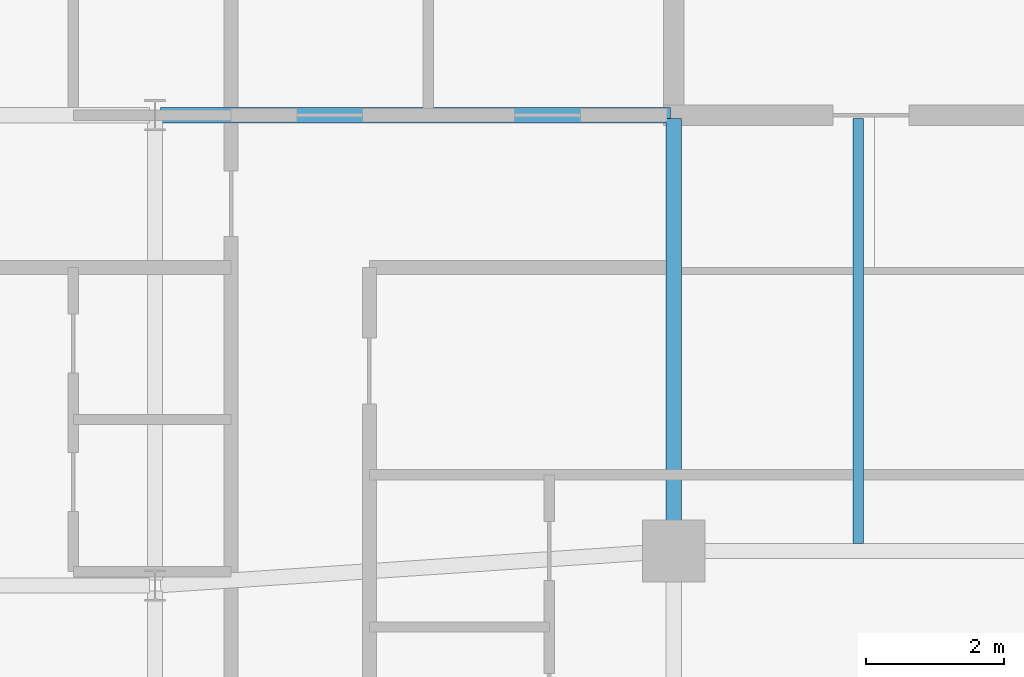
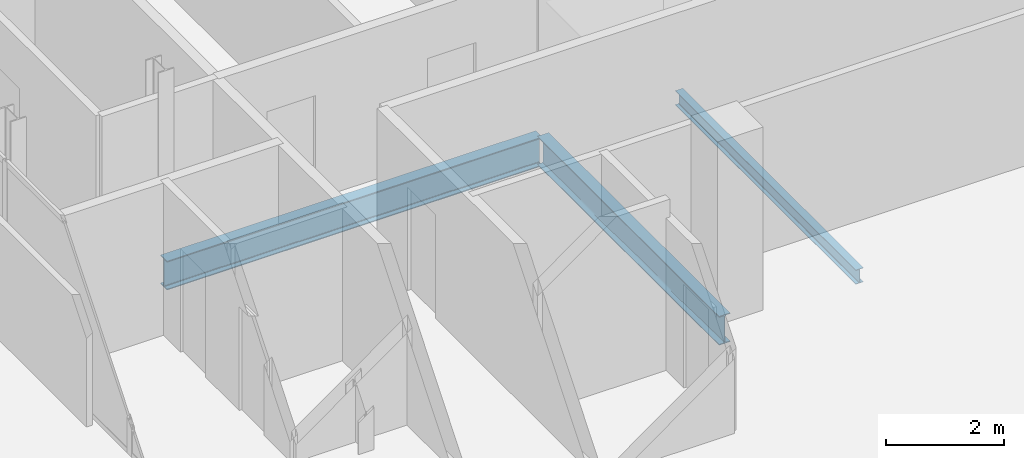
# One storey, part 11 of 23: 3 beams.
"""IFC4 building model written with IfcOpenShell, lengths in metres."""

import ifcopenshell
import ifcopenshell.guid

model = None  # the IFC model being written
_history = None  # IfcOwnerHistory: only IFC2X3 demands one
_inside = {}  # id of a spatial element -> (the spatial element, [elements in it])
_under = {}  # id of a project, library or spatial element -> (it, [spatial elements below it])
_declared = {}  # id of a project -> (the project, [libraries it declares])
_typed = {}  # id of a type object -> (the type object, [elements of that type])
_made_of = {}  # id of a material, layer set ... -> (it, [elements and type objects made of it])


def new_model(schema):
    """Start an empty IFC model of exactly this schema.

    Asked for "IFC4X3", IfcOpenShell would pick the latest addendum, in which some entities
    have other attributes; the version numbers below select the first issue.
    IFC2X3 requires an IfcOwnerHistory on every rooted entity: one is made here for all.
    """
    global model, _history
    if schema == "IFC4X3":
        model = ifcopenshell.file(schema_version=(4, 3, 0, 0))
    else:
        model = ifcopenshell.file(schema=schema)
    _inside.clear()
    _under.clear()
    _declared.clear()
    _typed.clear()
    _made_of.clear()
    _history = None
    if model.schema == "IFC2X3":
        org = make("IfcOrganization", Name="unknown")
        user = make(
            "IfcPersonAndOrganization",
            ThePerson=make("IfcPerson", FamilyName="unknown"),
            TheOrganization=org,
        )
        app = make(
            "IfcApplication",
            ApplicationDeveloper=org,
            Version="unknown",
            ApplicationFullName="unknown",
            ApplicationIdentifier="unknown",
        )
        _history = make(
            "IfcOwnerHistory",
            OwningUser=user,
            OwningApplication=app,
            ChangeAction="ADDED",
            CreationDate=0,
        )
    return model


def make(cls, **values):
    """One entity of the class cls with the attributes given. An attribute that is None is left unset."""
    return model.create_entity(
        cls, **{name: value for name, value in values.items() if value is not None}
    )


def rooted(cls, **values):
    """An entity with a GlobalId (a new one), such as an element, a storey or a relation."""
    return make(cls, GlobalId=ifcopenshell.guid.new(), OwnerHistory=_history, **values)


def si_unit(unit_type, name, prefix=None):
    """IfcSIUnit, for example si_unit("LENGTHUNIT", "METRE", prefix="MILLI")."""
    return make("IfcSIUnit", UnitType=unit_type, Prefix=prefix, Name=name)


def assignment(units):
    """IfcUnitAssignment: the units of a project."""
    return None if units is None else make("IfcUnitAssignment", Units=units)


def point(xyz):
    """IfcCartesianPoint."""
    return None if xyz is None else make("IfcCartesianPoint", Coordinates=xyz)


def direction(xyz):
    """IfcDirection."""
    return None if xyz is None else make("IfcDirection", DirectionRatios=xyz)


def frame(location, z_axis=None, x_axis=None):
    """IfcAxis2Placement3D, a coordinate frame: its origin and axes. An axis left out is left unset."""
    return make(
        "IfcAxis2Placement3D",
        Location=point(location),
        Axis=direction(z_axis),
        RefDirection=direction(x_axis),
    )


def frame_2d(location, x_axis=None):
    """IfcAxis2Placement2D, a coordinate frame in the plane: its origin and x axis."""
    return make(
        "IfcAxis2Placement2D", Location=point(location), RefDirection=direction(x_axis)
    )


def origin():
    """The frame at (0, 0, 0) with its axes left unset."""
    return frame((0.0, 0.0, 0.0))


def origin_2d():
    """The frame at (0, 0) in the plane with its x axis left unset."""
    return frame_2d((0.0, 0.0))


def place(relative_to, where):
    """IfcLocalPlacement: puts the frame where relative to a parent placement (None: the world)."""
    return make(
        "IfcLocalPlacement", PlacementRelTo=relative_to, RelativePlacement=where
    )


def context(
    kind, dimensions, precision=None, world=None, true_north=None, identifier=None
):
    """IfcGeometricRepresentationContext, for example the 3D "Model" context."""
    return make(
        "IfcGeometricRepresentationContext",
        ContextIdentifier=identifier,
        ContextType=kind,
        CoordinateSpaceDimension=dimensions,
        Precision=precision,
        WorldCoordinateSystem=world,
        TrueNorth=true_north,
    )


def subcontext(parent, identifier, kind, view, scale=None):
    """IfcGeometricRepresentationSubContext, for example "Body" below "Model"."""
    return make(
        "IfcGeometricRepresentationSubContext",
        ContextIdentifier=identifier,
        ContextType=kind,
        ParentContext=parent,
        TargetScale=scale,
        TargetView=view,
    )


def project(units=None, contexts=None):
    """IfcProject with its units and contexts."""
    return rooted(
        "IfcProject",
        Name="project",
        RepresentationContexts=contexts,
        UnitsInContext=assignment(units),
    )


def spatial(cls, under=None, at=None, **own):
    """A site, building, storey or space (cls), placed at a placement, below another one or the project."""
    s = rooted(cls, ObjectPlacement=at, **own)
    if under is not None:
        _under.setdefault(under.id(), (under, []))[1].append(s)
    return s


def profile(cls, at=None, kind="AREA", **sizes):
    """A parametric profile (cls). Its sizes go by their IFC names, for example OverallWidth=200.0."""
    return make(cls, ProfileType=kind, Position=at, **sizes)


def i_section(**sizes):
    """IfcIShapeProfileDef."""
    return profile("IfcIShapeProfileDef", **sizes)


def extrude(swept, where, along, depth):
    """IfcExtrudedAreaSolid: the profile swept, set in the frame where, extruded along a direction by depth."""
    return make(
        "IfcExtrudedAreaSolid",
        SweptArea=swept,
        Position=where,
        ExtrudedDirection=direction(along),
        Depth=depth,
    )


def shape(context_of_items, identifier, shape_type, items):
    """IfcShapeRepresentation: the items that make up one representation, for example the "Body"."""
    return make(
        "IfcShapeRepresentation",
        ContextOfItems=context_of_items,
        RepresentationIdentifier=identifier,
        RepresentationType=shape_type,
        Items=items,
    )


def material(Name=None, Category=None):
    """IfcMaterial."""
    return make("IfcMaterial", Name=Name, Category=Category)


def material_profile(
    of_material, cross_section, Name=None, Category=None, Priority=None
):
    """IfcMaterialProfile: a cross section and its material."""
    return make(
        "IfcMaterialProfile",
        Name=Name,
        Material=of_material,
        Profile=cross_section,
        Priority=Priority,
        Category=Category,
    )


def profile_set(profiles, Name=None, composite=None):
    """IfcMaterialProfileSet."""
    return make(
        "IfcMaterialProfileSet",
        Name=Name,
        MaterialProfiles=profiles,
        CompositeProfile=composite,
    )


def made_of(thing, what):
    """Note that an element or type object is made of a material, layer set ...; save() writes the relation."""
    if what is not None:
        _made_of.setdefault(what.id(), (what, []))[1].append(thing)
    return thing


def type_object(cls, material=None, **own):
    """A type object (cls), such as IfcWallType, which elements share."""
    return made_of(rooted(cls, **own), material)


def element(
    cls,
    number,
    at=None,
    inside=None,
    cuts=None,
    type_object=None,
    material=None,
    context=None,
    identifier="Body",
    shape_type=None,
    held_by="IfcProductDefinitionShape",
    body=None,
    shapes=None,
    **own,
):
    """One element of the class cls, such as IfcWall. Its Tag is "e" and its number.

    at: its placement. inside: the storey or other place that contains it. cuts: it is an
    opening in that element (IfcRelVoidsElement). A single representation is given by context,
    identifier, shape_type and body (its items); several are given by shapes. held_by: the class
    of the entity that holds the representations. save() writes the other relations.
    """
    e = rooted(cls, Tag="e%d" % number, ObjectPlacement=at, **own)
    if body is not None:
        shapes = [shape(context, identifier, shape_type, body)]
    if shapes is not None:
        e.Representation = make(held_by, Representations=shapes)
    if inside is not None:
        _inside.setdefault(inside.id(), (inside, []))[1].append(e)
    if cuts is not None:
        rooted(
            "IfcRelVoidsElement", RelatingBuildingElement=cuts, RelatedOpeningElement=e
        )
    if type_object is not None:
        _typed.setdefault(type_object.id(), (type_object, []))[1].append(e)
    return made_of(e, material)


def aggregate(whole, parts):
    """IfcRelAggregates: a whole, such as a stair, and the parts it consists of."""
    return rooted("IfcRelAggregates", RelatingObject=whole, RelatedObjects=parts)


def save(model, path):
    """Write the relations noted so far, then the file.

    IfcRelAggregates (storeys below a building ...), IfcRelContainedInSpatialStructure (elements
    in a storey), IfcRelDefinesByType, IfcRelAssociatesMaterial and IfcRelDeclares: one each for
    every whole, place, type object, material and project.
    """
    for whole, parts in _under.values():
        aggregate(whole, parts)
    for where, things in _inside.values():
        rooted(
            "IfcRelContainedInSpatialStructure",
            RelatedElements=things,
            RelatingStructure=where,
        )
    for kind, things in _typed.values():
        rooted("IfcRelDefinesByType", RelatedObjects=things, RelatingType=kind)
    for what, things in _made_of.values():
        rooted("IfcRelAssociatesMaterial", RelatedObjects=things, RelatingMaterial=what)
    for by, libraries in _declared.values():
        rooted("IfcRelDeclares", RelatingContext=by, RelatedDefinitions=libraries)
    model.write(path)


model = new_model("IFC4")

# Units and contexts
model_context = context("Model", 3, precision=1e-05, world=origin(), true_north=direction((0.0, 1.0)))
body_context = subcontext(model_context, "Body", "Model", "MODEL_VIEW")
ifc_project = project(units=[si_unit("LENGTHUNIT", "METRE"), si_unit("AREAUNIT", "SQUARE_METRE"), si_unit("VOLUMEUNIT", "CUBIC_METRE"), si_unit("PLANEANGLEUNIT", "RADIAN"), si_unit("MASSUNIT", "GRAM", prefix="KILO")], contexts=[model_context])

# Site, building, storey
site_placement = place(None, origin())
site = spatial("IfcSite", under=ifc_project, at=site_placement, CompositionType="ELEMENT")
building_placement = place(site_placement, origin())
building = spatial("IfcBuilding", under=site, at=building_placement, Name="Catumbela Crestline Tower", CompositionType="ELEMENT")
storey_placement = place(building_placement, frame((0.0, 0.0, 241.2)))
storey = spatial("IfcBuildingStorey", under=building, at=storey_placement, Name="L62", CompositionType="ELEMENT", Elevation=241.2)

# Beams
ifc_material = material(Name="Structural steel S355J2", Category="steel")
ifc_material_profile_1 = material_profile(ifc_material, i_section(OverallWidth=0.22, OverallDepth=0.6, WebThickness=0.012, FlangeThickness=0.019, FilletRadius=0.024, at=origin_2d()), Name="IPE 600")
ifc_profile_set_1 = profile_set([ifc_material_profile_1], Name="Structural steel S355J2")
beam_type_1 = type_object("IfcBeamType", Name="BG-IPE600", PredefinedType="BEAM", material=ifc_profile_set_1)
beam_1_placement = place(storey_placement, frame((8.58, 30.8, -0.56), z_axis=(1.0, 0.0, 0.0), x_axis=(0.0, 1.0, 0.0)))
element("IfcBeam", 1, at=beam_1_placement, inside=storey, type_object=beam_type_1, Name="L62 Beam BM-L62-M07", PredefinedType="BEAM", context=body_context, shape_type="SweptSolid", body=[
    extrude(i_section(OverallWidth=0.22, OverallDepth=0.6, WebThickness=0.012, FlangeThickness=0.019, FilletRadius=0.024, at=origin_2d()), origin(), (0.0, 0.0, 1.0), 7.37),
])
beam_2_placement = place(storey_placement, frame((16.0, 24.58, -0.56), z_axis=(0.0, 1.0, 0.0), x_axis=(-1.0, 0.0, 0.0)))
element("IfcBeam", 2, at=beam_2_placement, inside=storey, type_object=beam_type_1, Name="L62 Beam BM-L62-SNS15", PredefinedType="BEAM", context=body_context, shape_type="SweptSolid", body=[
    extrude(i_section(OverallWidth=0.22, OverallDepth=0.6, WebThickness=0.012, FlangeThickness=0.019, FilletRadius=0.024, at=origin_2d()), origin(), (0.0, 0.0, 1.0), 6.17),
])
ifc_material_profile_2 = material_profile(ifc_material, i_section(OverallWidth=0.15, OverallDepth=0.3, WebThickness=0.0071, FlangeThickness=0.0107, FilletRadius=0.015, at=origin_2d()), Name="IPE 300")
ifc_profile_set_2 = profile_set([ifc_material_profile_2], Name="Structural steel S355J2")
beam_type_2 = type_object("IfcBeamType", Name="BJ-IPE300", PredefinedType="JOIST", material=ifc_profile_set_2)
beam_3_placement = place(storey_placement, frame((18.667, 24.61, -0.41), z_axis=(0.0, 1.0, 0.0), x_axis=(-1.0, 0.0, 0.0)))
element("IfcBeam", 3, at=beam_3_placement, inside=storey, type_object=beam_type_2, Name="L62 Joist JS-L62-SP21", PredefinedType="JOIST", context=body_context, shape_type="SweptSolid", body=[
    extrude(i_section(OverallWidth=0.15, OverallDepth=0.3, WebThickness=0.0071, FlangeThickness=0.0107, FilletRadius=0.015, at=origin_2d()), origin(), (0.0, 0.0, 1.0), 6.14),
])

save(model, "model.ifc")
